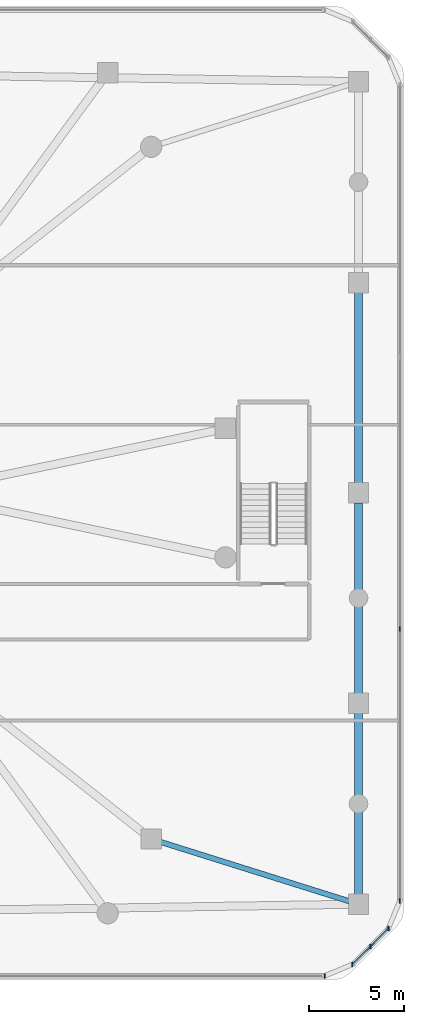
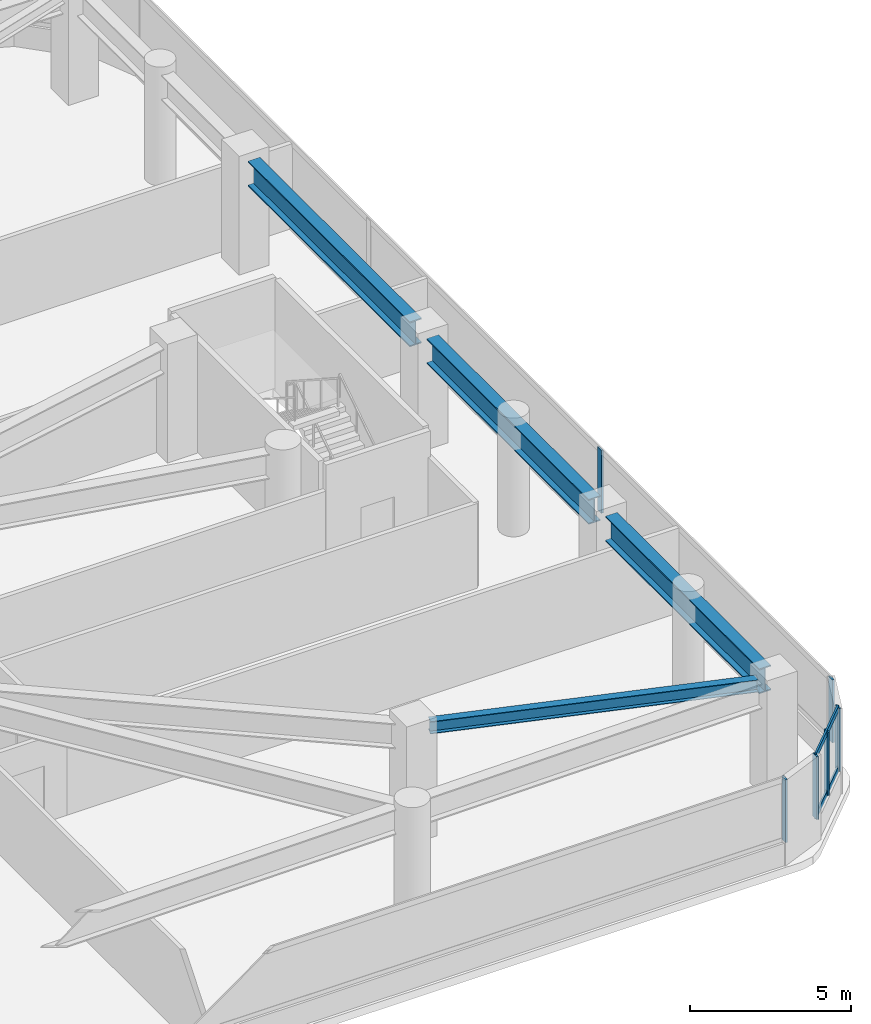
# One storey, part 9 of 21: 8 members, 4 beams, 3 elements without a shape of their own.
"""IFC4 building model written with IfcOpenShell, lengths in metres."""

from ifc_helpers import new_model, si_unit, derived_unit, direction, frame, origin, origin_2d, place, context, subcontext, project, spatial, rectangle, i_section, extrude, material, material_profile, profile_set, type_object, element, aggregate, save


model = new_model("IFC4")

# Units and contexts
model_context = context("Model", 3, precision=1e-05, world=origin(), true_north=direction((0.0, 1.0)))
body_context = subcontext(model_context, "Body", "Model", "MODEL_VIEW")
ifc_project = project(units=[si_unit("LENGTHUNIT", "METRE"), si_unit("AREAUNIT", "SQUARE_METRE"), si_unit("VOLUMEUNIT", "CUBIC_METRE"), si_unit("PLANEANGLEUNIT", "RADIAN"), si_unit("MASSUNIT", "GRAM", prefix="KILO"), derived_unit("THERMALTRANSMITTANCEUNIT", [(si_unit("POWERUNIT", "WATT"), 1), (si_unit("LENGTHUNIT", "METRE"), -2), (si_unit("THERMODYNAMICTEMPERATUREUNIT", "KELVIN"), -1)])], contexts=[model_context])

# Site, building, storey
site_placement = place(None, origin())
site = spatial("IfcSite", under=ifc_project, at=site_placement, CompositionType="ELEMENT")
building_placement = place(site_placement, origin())
building = spatial("IfcBuilding", under=site, at=building_placement, Name="Koralith Skygarden Medical Center", CompositionType="ELEMENT")
storey_placement = place(building_placement, frame((0.0, 0.0, 5.39990234375)))
storey = spatial("IfcBuildingStorey", under=building, at=storey_placement, Name="L01", CompositionType="ELEMENT", Elevation=5.39990234375)

# Curtain wall, member
ifc_material_1 = material(Name="Clear Laminated Glass", Category="glass")
curtain_wall_type = type_object("IfcCurtainWallType", Name="CW-1 Transit & Podium Acoustic Curtain Wall", PredefinedType="NOTDEFINED", material=ifc_material_1)
curtain_wall_1_placement = place(storey_placement, origin())
curtain_wall_1 = element("IfcCurtainWall", 1, at=curtain_wall_1_placement, inside=storey, type_object=curtain_wall_type, Name="Curtain Wall CW-L01-S", PredefinedType="NOTDEFINED")
ifc_material_2 = material(Name="Aluminium 6063-T6", Category="aluminium")
ifc_material_profile_1 = material_profile(ifc_material_2, rectangle(XDim=0.068115234375, YDim=0.239990234375, at=origin_2d()), Name="MUL68X240")
ifc_profile_set_1 = profile_set([ifc_material_profile_1], Name="Aluminium 6063-T6")
member_type_1 = type_object("IfcMemberType", Name="CW-1 Extruded Mullion 68x240", PredefinedType="MULLION", material=ifc_profile_set_1)
member_1_placement = place(storey_placement, frame((69.62109375, 0.419921875, 0.85009765625), z_axis=(0.0, 0.0, 1.0), x_axis=(1.0, 0.0, 0.0)))
member_1 = element("IfcMember", 2, at=member_1_placement, type_object=member_type_1, Name="CW-L01-S Mullion 4", PredefinedType="MULLION", context=body_context, shape_type="SweptSolid", body=[
    extrude(rectangle(XDim=0.068115234375, YDim=0.239990234375, at=origin_2d()), origin(), (0.0, 0.0, 1.0), 2.389892578125),
])
aggregate(curtain_wall_1, [member_1])

# Curtain wall, members
curtain_wall_2_placement = place(storey_placement, origin())
curtain_wall_2 = element("IfcCurtainWall", 3, at=curtain_wall_2_placement, inside=storey, type_object=curtain_wall_type, Name="Curtain Wall CW-L01-SE", PredefinedType="NOTDEFINED")
member_2_placement = place(storey_placement, frame((71.072021484375, 1.02099609375, 0.85009765625), z_axis=(0.0, 0.0, 1.0), x_axis=(1.0, 0.0, 0.0)))
member_2 = element("IfcMember", 4, at=member_2_placement, type_object=member_type_1, Name="CW-L01-SE Mullion 1", PredefinedType="MULLION", context=body_context, shape_type="SweptSolid", body=[
    extrude(rectangle(XDim=0.068115234375, YDim=0.239990234375, at=origin_2d()), origin(), (0.0, 0.0, 1.0), 2.389892578125),
])
member_3_placement = place(storey_placement, frame((72.02490234375, 1.97412109375, 0.85009765625), z_axis=(0.0, 0.0, 1.0), x_axis=(1.0, 0.0, 0.0)))
member_3 = element("IfcMember", 5, at=member_3_placement, type_object=member_type_1, Name="CW-L01-SE Mullion 2", PredefinedType="MULLION", context=body_context, shape_type="SweptSolid", body=[
    extrude(rectangle(XDim=0.068115234375, YDim=0.239990234375, at=origin_2d()), origin(), (0.0, 0.0, 1.0), 2.389892578125),
])
member_4_placement = place(storey_placement, frame((72.97900390625, 2.927978515625, 0.85009765625), z_axis=(0.0, 0.0, 1.0), x_axis=(1.0, 0.0, 0.0)))
member_4 = element("IfcMember", 6, at=member_4_placement, type_object=member_type_1, Name="CW-L01-SE Mullion 3", PredefinedType="MULLION", context=body_context, shape_type="SweptSolid", body=[
    extrude(rectangle(XDim=0.068115234375, YDim=0.239990234375, at=origin_2d()), origin(), (0.0, 0.0, 1.0), 2.389892578125),
])

curtain_wall_3_placement = place(storey_placement, origin())
curtain_wall_3 = element("IfcCurtainWall", 7, at=curtain_wall_3_placement, inside=storey, type_object=curtain_wall_type, Name="Curtain Wall CW-L01-E", PredefinedType="NOTDEFINED")
member_5_placement = place(storey_placement, frame((73.580078125, 4.37890625, 0.85009765625), z_axis=(0.0, 0.0, 1.0), x_axis=(1.0, 0.0, 0.0)))
member_5 = element("IfcMember", 8, at=member_5_placement, type_object=member_type_1, Name="CW-L01-E Mullion 1", PredefinedType="MULLION", context=body_context, shape_type="SweptSolid", body=[
    extrude(rectangle(XDim=0.068115234375, YDim=0.239990234375, at=origin_2d()), origin(), (0.0, 0.0, 1.0), 2.389892578125),
])
member_6_placement = place(storey_placement, frame((73.580078125, 18.72607421875, 0.85009765625), z_axis=(0.0, 0.0, 1.0), x_axis=(1.0, 0.0, 0.0)))
member_6 = element("IfcMember", 9, at=member_6_placement, type_object=member_type_1, Name="CW-L01-E Mullion 2", PredefinedType="MULLION", context=body_context, shape_type="SweptSolid", body=[
    extrude(rectangle(XDim=0.068115234375, YDim=0.239990234375, at=origin_2d()), origin(), (0.0, 0.0, 1.0), 2.389892578125),
])
aggregate(curtain_wall_3, [member_5, member_6])

# Member
ifc_material_profile_2 = material_profile(ifc_material_2, rectangle(XDim=0.06298828125, YDim=0.216064453125, at=origin_2d()), Name="TRN63X216")
ifc_profile_set_2 = profile_set([ifc_material_profile_2], Name="Aluminium 6063-T6")
member_type_2 = type_object("IfcMemberType", Name="CW-1 Thermal Transom 63x216", PredefinedType="USERDEFINED", material=ifc_profile_set_2)
member_7_placement = place(storey_placement, frame((71.072021484375, 1.02099609375, 0.900146484375), z_axis=(0.707106781187, 0.707106781187, 0.0), x_axis=(-0.707106781187, 0.707106781187, 0.0)))
member_7 = element("IfcMember", 10, at=member_7_placement, type_object=member_type_2, Name="CW-L01-SE Transom 1", ObjectType="TRANSOM", PredefinedType="USERDEFINED", context=body_context, shape_type="SweptSolid", body=[
    extrude(rectangle(XDim=0.06298828125, YDim=0.216064453125, at=origin_2d()), origin(), (0.0, 0.0, 1.0), 2.69677734375),
])

member_8_placement = place(storey_placement, frame((71.072021484375, 1.02099609375, 3.190185546875), z_axis=(0.707106781187, 0.707106781187, 0.0), x_axis=(-0.707106781187, 0.707106781187, 0.0)))
member_8 = element("IfcMember", 11, at=member_8_placement, type_object=member_type_2, Name="CW-L01-SE Transom 2", ObjectType="TRANSOM", PredefinedType="USERDEFINED", context=body_context, shape_type="SweptSolid", body=[
    extrude(rectangle(XDim=0.06298828125, YDim=0.216064453125, at=origin_2d()), origin(), (0.0, 0.0, 1.0), 2.69677734375),
])

aggregate(curtain_wall_2, [member_2, member_3, member_4, member_7, member_8])

# Beams
ifc_material_3 = material(Name="Steel ASTM A992 Grade 50", Category="steel")
ifc_material_profile_3 = material_profile(ifc_material_3, i_section(OverallWidth=0.423095703125, OverallDepth=0.947998046875, WebThickness=0.02392578125, FlangeThickness=0.042724609375, at=origin_2d()), Name="W36X302")
ifc_profile_set_3 = profile_set([ifc_material_profile_3], Name="Steel ASTM A992 Grade 50")
beam_type_1 = type_object("IfcBeamType", Name="Podium Concourse Girder W36X302", PredefinedType="BEAM", material=ifc_profile_set_3)
beam_1_placement = place(storey_placement, frame((71.39990234375, 4.719970703125, 3.72607421875), z_axis=(0.0, 1.0, 0.0), x_axis=(-1.0, 0.0, 0.0)))
element("IfcBeam", 12, at=beam_1_placement, inside=storey, type_object=beam_type_1, Name="L01 Podium Perimeter Beam PB-05", PredefinedType="BEAM", context=body_context, shape_type="SweptSolid", body=[
    extrude(i_section(OverallWidth=0.423095703125, OverallDepth=0.947998046875, WebThickness=0.02392578125, FlangeThickness=0.042724609375, at=origin_2d()), origin(), (0.0, 0.0, 1.0), 9.56005859375),
])
beam_2_placement = place(storey_placement, frame((71.39990234375, 15.320068359375, 3.72607421875), z_axis=(0.0, 1.0, 0.0), x_axis=(-1.0, 0.0, 0.0)))
element("IfcBeam", 13, at=beam_2_placement, inside=storey, type_object=beam_type_1, Name="L01 Podium Perimeter Beam PB-06", PredefinedType="BEAM", context=body_context, shape_type="SweptSolid", body=[
    extrude(i_section(OverallWidth=0.423095703125, OverallDepth=0.947998046875, WebThickness=0.02392578125, FlangeThickness=0.042724609375, at=origin_2d()), origin(), (0.0, 0.0, 1.0), 10.059814453125),
])
beam_3_placement = place(storey_placement, frame((71.39990234375, 26.419921875, 3.72607421875), z_axis=(0.0, 1.0, 0.0), x_axis=(-1.0, 0.0, 0.0)))
element("IfcBeam", 14, at=beam_3_placement, inside=storey, type_object=beam_type_1, Name="L01 Podium Perimeter Beam PB-07", PredefinedType="BEAM", context=body_context, shape_type="SweptSolid", body=[
    extrude(i_section(OverallWidth=0.423095703125, OverallDepth=0.947998046875, WebThickness=0.02392578125, FlangeThickness=0.042724609375, at=origin_2d()), origin(), (0.0, 0.0, 1.0), 10.06005859375),
])
ifc_material_profile_4 = material_profile(ifc_material_3, i_section(OverallWidth=0.281982421875, OverallDepth=0.467041015625, WebThickness=0.01220703125, FlangeThickness=0.01953125, at=origin_2d()), Name="W18X86")
ifc_profile_set_4 = profile_set([ifc_material_profile_4], Name="Steel ASTM A992 Grade 50")
beam_type_2 = type_object("IfcBeamType", Name="Podium Floor Joist W18X86", PredefinedType="JOIST", material=ifc_profile_set_4)
beam_4_placement = place(storey_placement, frame((60.9560546875, 7.48388671875, 3.967041015625), z_axis=(0.953954869198, -0.299950175084, 0.0), x_axis=(0.299950175084, 0.953954869198, 0.0)))
element("IfcBeam", 15, at=beam_4_placement, inside=storey, type_object=beam_type_2, Name="L01 Podium Floor Joist PJ-03", PredefinedType="JOIST", context=body_context, shape_type="SweptSolid", body=[
    extrude(i_section(OverallWidth=0.281982421875, OverallDepth=0.467041015625, WebThickness=0.01220703125, FlangeThickness=0.01953125, at=origin_2d()), origin(), (0.0, 0.0, 1.0), 10.42822265625),
])

save(model, "model.ifc")
